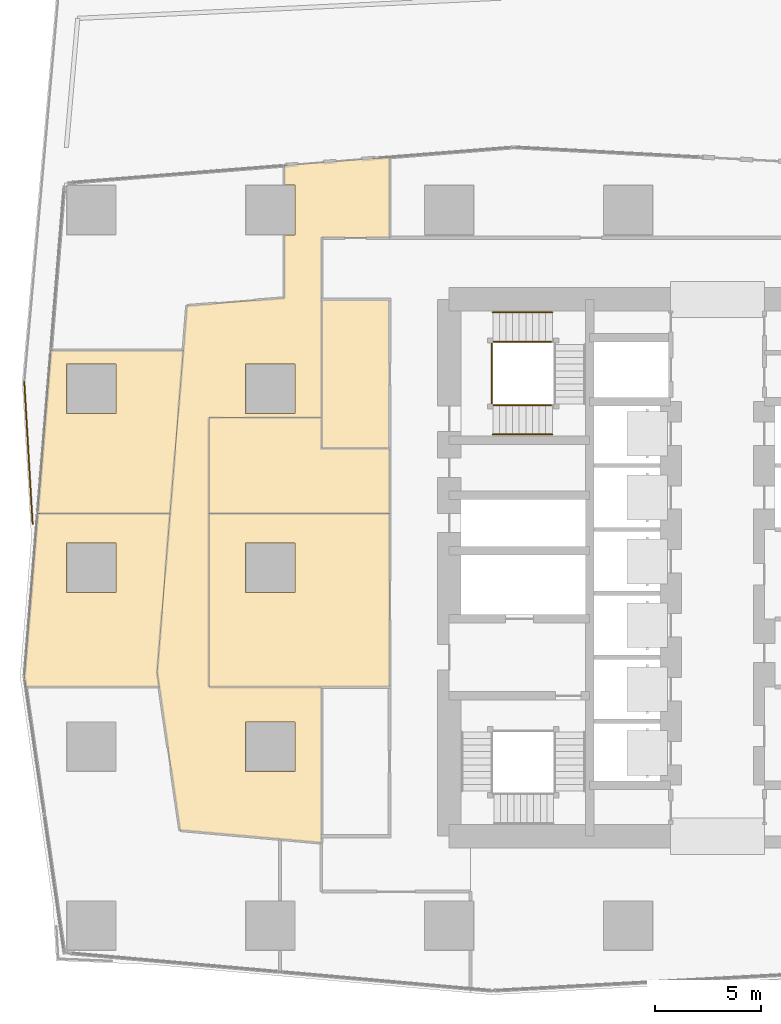
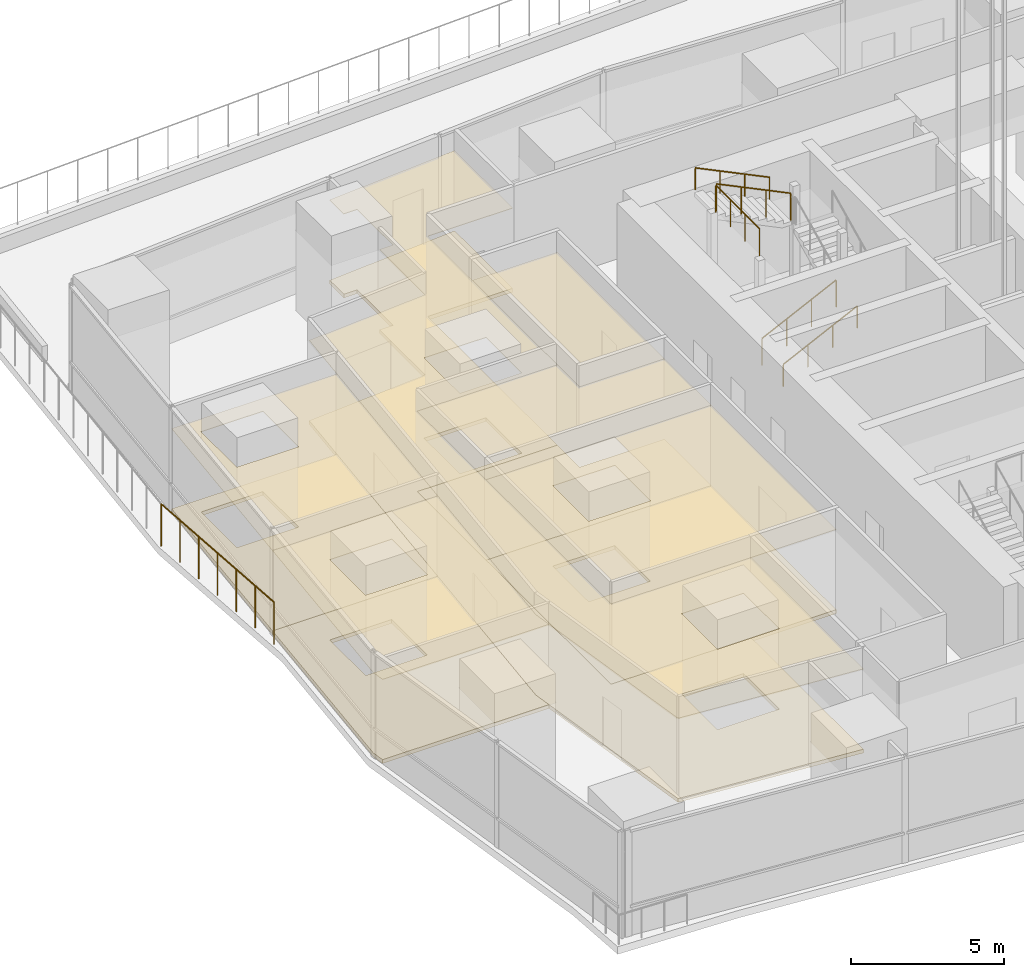
# One storey, part 21 of 39: 11 coverings, 6 railings.
"""IFC4 building model written with IfcOpenShell, lengths in metres."""

from ifc_helpers import new_model, si_unit, direction, frame, origin, origin_2d, place, context, subcontext, project, spatial, polyline, circle, outline, extrude, material, layer, layer_set, type_object, element, save


model = new_model("IFC4")

# Units and contexts
model_context = context("Model", 3, precision=1e-05, world=origin(), true_north=direction((0.0, 1.0)))
body_context = subcontext(model_context, "Body", "Model", "MODEL_VIEW")
ifc_project = project(units=[si_unit("LENGTHUNIT", "METRE"), si_unit("AREAUNIT", "SQUARE_METRE"), si_unit("VOLUMEUNIT", "CUBIC_METRE"), si_unit("PLANEANGLEUNIT", "RADIAN"), si_unit("MASSUNIT", "GRAM", prefix="KILO")], contexts=[model_context])

# Site, building, storey
site_placement = place(None, origin())
site = spatial("IfcSite", under=ifc_project, at=site_placement, CompositionType="ELEMENT")
building_placement = place(site_placement, origin())
building = spatial("IfcBuilding", under=site, at=building_placement, Name="Rekha Terrace Tower", CompositionType="ELEMENT")
storey_placement = place(building_placement, frame((0.0, 0.0, 245.60009765625)))
storey = spatial("IfcBuildingStorey", under=building, at=storey_placement, Name="L62", CompositionType="ELEMENT", Elevation=245.60009765625)

# Coverings
ifc_material_1 = material(Name="Mineral fibre tile in exposed grid", Category="finish")
ifc_layer_1 = layer(ifc_material_1, 0.02001953125)
ifc_layer_set_1 = layer_set([ifc_layer_1], Name="Mineral fibre tile in exposed grid")
covering_type_1 = type_object("IfcCoveringType", Name="CL1 600x1200 office grid ceiling", PredefinedType="CEILING", material=ifc_layer_set_1)
covering_1_placement = place(storey_placement, frame((0.0, 0.0, 3.329833984375)))
element("IfcCovering", 1, at=covering_1_placement, inside=storey, type_object=covering_type_1, Name="Ceiling L62-11", PredefinedType="CEILING", context=body_context, shape_type="SweptSolid", body=[
    extrude(outline(polyline([(12.717041015625, 43.803955078125), (6.49609375, 43.803955078125), (5.8740234375, 36.15087890625), (12.093994140625, 36.15087890625), (12.717041015625, 43.803955078125)]), holes=[polyline([(9.56494140625, 43.1650390625), (9.56494140625, 40.8349609375), (7.235107421875, 40.8349609375), (7.235107421875, 43.1650390625), (9.56494140625, 43.1650390625)])]), origin(), (0.0, 0.0, 1.0), 0.02001953125),
])
covering_2_placement = place(storey_placement, frame((0.0, 0.0, 3.329833984375)))
element("IfcCovering", 2, at=covering_2_placement, inside=storey, type_object=covering_type_1, Name="Ceiling L62-12", PredefinedType="CEILING", context=body_context, shape_type="SweptSolid", body=[
    extrude(outline(polyline([(5.2509765625, 28.49609375), (5.321044921875, 28.010009765625), (11.5859375, 28.010009765625), (11.487060546875, 28.69091796875), (12.093994140625, 36.14990234375), (5.8740234375, 36.14990234375), (5.2509765625, 28.49609375)]), holes=[polyline([(9.56494140625, 34.764892578125), (9.56494140625, 32.43505859375), (7.235107421875, 32.43505859375), (7.235107421875, 34.764892578125), (9.56494140625, 34.764892578125)])]), origin(), (0.0, 0.0, 1.0), 0.02001953125),
])
covering_3_placement = place(storey_placement, frame((0.0, 0.0, 3.329833984375)))
element("IfcCovering", 3, at=covering_3_placement, inside=storey, type_object=covering_type_1, Name="Ceiling L62-15", PredefinedType="CEILING", context=body_context, shape_type="SweptSolid", body=[
    extrude(outline(polyline([(22.39990234375, 36.14990234375), (13.9189453125, 36.14990234375), (13.9189453125, 28.0), (22.39990234375, 28.0), (22.39990234375, 36.14990234375)]), holes=[polyline([(17.965087890625, 34.764892578125), (17.965087890625, 32.43505859375), (15.635009765625, 32.43505859375), (15.635009765625, 34.764892578125), (17.965087890625, 34.764892578125)])]), origin(), (0.0, 0.0, 1.0), 0.02001953125),
])
covering_4_placement = place(storey_placement, frame((0.0, 0.0, 3.329833984375)))
element("IfcCovering", 4, at=covering_4_placement, inside=storey, type_object=covering_type_1, Name="Ceiling L62-16", PredefinedType="CEILING", context=body_context, shape_type="SweptSolid", body=[
    extrude(outline(polyline([(13.9189453125, 36.14990234375), (22.39990234375, 36.14990234375), (22.39990234375, 39.199951171875), (19.199951171875, 39.199951171875), (19.199951171875, 40.64990234375), (13.9189453125, 40.64990234375), (13.9189453125, 36.14990234375)])), origin(), (0.0, 0.0, 1.0), 0.02001953125),
])
covering_5_placement = place(storey_placement, frame((0.0, 0.0, 3.329833984375)))
element("IfcCovering", 5, at=covering_5_placement, inside=storey, type_object=covering_type_1, Name="Ceiling L62-O2b", PredefinedType="CEILING", context=body_context, shape_type="SweptSolid", body=[
    extrude(outline(polyline([(11.487060546875, 28.69091796875), (11.5859375, 28.010009765625), (12.55908203125, 21.27587890625), (17.260009765625, 20.85888671875), (19.199951171875, 20.68603515625), (19.199951171875, 28.0), (13.9189453125, 28.0), (13.9189453125, 40.64990234375), (19.199951171875, 40.64990234375), (19.199951171875, 49.10009765625), (22.39599609375, 49.10009765625), (22.39599609375, 52.881103515625), (17.458984375, 52.487060546875), (17.458984375, 51.56494140625), (17.965087890625, 51.56494140625), (17.965087890625, 49.235107421875), (17.458984375, 49.235107421875), (17.458984375, 46.26806640625), (12.887939453125, 45.903076171875), (12.717041015625, 43.803955078125), (12.093994140625, 36.14990234375), (11.487060546875, 28.69091796875)]), holes=[polyline([(17.965087890625, 26.364990234375), (17.965087890625, 24.034912109375), (15.635009765625, 24.034912109375), (15.635009765625, 26.364990234375), (17.965087890625, 26.364990234375)]), polyline([(17.965087890625, 40.8349609375), (15.635009765625, 40.8349609375), (15.635009765625, 43.1650390625), (17.965087890625, 43.1650390625), (17.965087890625, 40.8349609375)])]), origin(), (0.0, 0.0, 1.0), 0.02001953125),
])
ifc_material_2 = material(Name="Fibre cement board", Category="finish")
ifc_layer_2 = layer(ifc_material_2, 0.014892578125)
ifc_layer_set_2 = layer_set([ifc_layer_2], Name="Fibre cement board")
covering_type_2 = type_object("IfcCoveringType", Name="CL2 moisture-resistant board ceiling", PredefinedType="CEILING", material=ifc_layer_set_2)
covering_6_placement = place(storey_placement, frame((0.0, 0.0, 3.3349609375)))
element("IfcCovering", 6, at=covering_6_placement, inside=storey, type_object=covering_type_2, Name="Ceiling L62-WCF2", PredefinedType="CEILING", context=body_context, shape_type="SweptSolid", body=[
    extrude(outline(polyline([(22.39990234375, 46.199951171875), (19.199951171875, 46.199951171875), (19.199951171875, 39.199951171875), (22.39990234375, 39.199951171875), (22.39990234375, 46.199951171875)])), origin(), (0.0, 0.0, 1.0), 0.014892578125),
])

# Railings
ifc_material_3 = material(Name="Stainless steel balustrade", Category="steel")
railing_type_1 = type_object("IfcRailingType", Name="GR1 1100 stair guard", PredefinedType="GUARDRAIL", material=ifc_material_3)
railing_1_placement = place(storey_placement, frame((27.25, 41.239990234375, 0.14990234375)))
element("IfcRailing", 7, at=railing_1_placement, inside=storey, type_object=railing_type_1, Name="Guard ST4 L62 flight 1", PredefinedType="GUARDRAIL", context=body_context, shape_type="SweptSolid", body=[
    extrude(circle(Radius=0.02392578125, at=origin_2d()), frame((0.0, 0.0, 1.076171875), z_axis=(0.90014928908, 0.0, 0.43558151633), x_axis=(0.0, 1.0, 0.0)), (0.0, 0.0, 1.0), 3.099609375),
    extrude(circle(Radius=0.02099609375, at=origin_2d()), origin(), (0.0, 0.0, 1.0), 1.052001953125),
    extrude(circle(Radius=0.02099609375, at=origin_2d()), frame((0.929931640625, 0.0, 0.449951171875)), (0.0, 0.0, 1.0), 1.052001953125),
    extrude(circle(Radius=0.02099609375, at=origin_2d()), frame((1.860107421875, 0.0, 0.900146484375)), (0.0, 0.0, 1.0), 1.052001953125),
    extrude(circle(Radius=0.02099609375, at=origin_2d()), frame((2.7900390625, 0.0, 1.35009765625)), (0.0, 0.0, 1.0), 1.052001953125),
])
railing_2_placement = place(storey_placement, frame((30.0400390625, 44.2099609375, 3.14990234375)))
element("IfcRailing", 8, at=railing_2_placement, inside=storey, type_object=railing_type_1, Name="Guard ST4 L62 flight 3", PredefinedType="GUARDRAIL", context=body_context, shape_type="SweptSolid", body=[
    extrude(circle(Radius=0.02392578125, at=origin_2d()), frame((0.0, 0.0, 1.076171875), z_axis=(-0.90014928908, 0.0, 0.43558151633), x_axis=(0.0, -1.0, 0.0)), (0.0, 0.0, 1.0), 3.099609375),
    extrude(circle(Radius=0.02099609375, at=origin_2d()), origin(), (0.0, 0.0, 1.0), 1.052001953125),
    extrude(circle(Radius=0.02099609375, at=origin_2d()), frame((-0.929931640625, 0.0, 0.449951171875)), (0.0, 0.0, 1.0), 1.052001953125),
    extrude(circle(Radius=0.02099609375, at=origin_2d()), frame((-1.860107421875, 0.0, 0.900146484375)), (0.0, 0.0, 1.0), 1.052001953125),
    extrude(circle(Radius=0.02099609375, at=origin_2d()), frame((-2.7900390625, 0.0, 1.35009765625)), (0.0, 0.0, 1.0), 1.052001953125),
])
railing_3_placement = place(storey_placement, frame((27.18994140625, 41.300048828125, 4.5)))
element("IfcRailing", 9, at=railing_3_placement, inside=storey, type_object=railing_type_1, Name="Guard ST4 L62 landing 4", PredefinedType="GUARDRAIL", context=body_context, shape_type="SweptSolid", body=[
    extrude(circle(Radius=0.02392578125, at=origin_2d()), frame((0.0, 0.0, 1.076171875), z_axis=(0.0, 1.0, 0.0), x_axis=(-1.0, 0.0, 0.0)), (0.0, 0.0, 1.0), 2.849853515625),
    extrude(circle(Radius=0.02099609375, at=origin_2d()), origin(), (0.0, 0.0, 1.0), 1.052001953125),
    extrude(circle(Radius=0.02099609375, at=origin_2d()), frame((0.0, 0.949951171875, 0.0)), (0.0, 0.0, 1.0), 1.052001953125),
    extrude(circle(Radius=0.02099609375, at=origin_2d()), frame((0.0, 1.89990234375, 0.0)), (0.0, 0.0, 1.0), 1.052001953125),
    extrude(circle(Radius=0.02099609375, at=origin_2d()), frame((0.0, 2.849853515625, 0.0)), (0.0, 0.0, 1.0), 1.052001953125),
])
ifc_material_4 = material(Name="Stainless steel posts and laminated glass infill", Category="steel")
railing_type_2 = type_object("IfcRailingType", Name="GR4 terrace glass guard 1700", PredefinedType="GUARDRAIL", material=ifc_material_4)
railing_4_placement = place(storey_placement, frame((5.250244140625, 42.32861328125, 0.0)))
element("IfcRailing", 10, at=railing_4_placement, inside=storey, type_object=railing_type_2, Name="Terrace guard", PredefinedType="GUARDRAIL", context=body_context, shape_type="SweptSolid", body=[
    extrude(circle(Radius=0.02392578125, at=origin_2d()), frame((0.0, 0.0, 1.67578125), z_axis=(0.058779843048, -0.998270970254, 0.0), x_axis=(0.998270970254, 0.058779843048, 0.0)), (0.0, 0.0, 1.0), 6.682861328125),
    extrude(circle(Radius=0.02099609375, at=origin_2d()), origin(), (0.0, 0.0, 1.0), 1.65185546875),
    extrude(circle(Radius=0.02099609375, at=origin_2d()), frame((0.0654296875, -1.11181640625, 0.0)), (0.0, 0.0, 1.0), 1.65185546875),
    extrude(circle(Radius=0.02099609375, at=origin_2d()), frame((0.130859375, -2.223876953125, 0.0)), (0.0, 0.0, 1.0), 1.65185546875),
    extrude(circle(Radius=0.02099609375, at=origin_2d()), frame((0.1962890625, -3.335693359375, 0.0)), (0.0, 0.0, 1.0), 1.65185546875),
    extrude(circle(Radius=0.02099609375, at=origin_2d()), frame((0.261962890625, -4.447509765625, 0.0)), (0.0, 0.0, 1.0), 1.65185546875),
    extrude(circle(Radius=0.02099609375, at=origin_2d()), frame((0.327392578125, -5.5595703125, 0.0)), (0.0, 0.0, 1.0), 1.65185546875),
    extrude(circle(Radius=0.02099609375, at=origin_2d()), frame((0.392822265625, -6.67138671875, 0.0)), (0.0, 0.0, 1.0), 1.65185546875),
])
ifc_material_5 = material(Name="Stainless steel tube", Category="steel")
railing_type_3 = type_object("IfcRailingType", Name="HR1 900 stair handrail", PredefinedType="HANDRAIL", material=ifc_material_5)
railing_5_placement = place(storey_placement, frame((27.25, 39.860107421875, 0.14990234375)))
element("IfcRailing", 11, at=railing_5_placement, inside=storey, type_object=railing_type_3, Name="Handrail ST4 L62 flight 1", PredefinedType="HANDRAIL", context=body_context, shape_type="SweptSolid", body=[
    extrude(circle(Radius=0.02392578125, at=origin_2d()), frame((0.0, 0.0, 0.8759765625), z_axis=(0.90014928908, 0.0, 0.43558151633), x_axis=(0.0, 1.0, 0.0)), (0.0, 0.0, 1.0), 3.099609375),
    extrude(circle(Radius=0.02099609375, at=origin_2d()), origin(), (0.0, 0.0, 1.0), 0.851806640625),
    extrude(circle(Radius=0.02099609375, at=origin_2d()), frame((0.929931640625, 0.0, 0.449951171875)), (0.0, 0.0, 1.0), 0.851806640625),
    extrude(circle(Radius=0.02099609375, at=origin_2d()), frame((1.860107421875, 0.0, 0.900146484375)), (0.0, 0.0, 1.0), 0.851806640625),
    extrude(circle(Radius=0.02099609375, at=origin_2d()), frame((2.7900390625, 0.0, 1.35009765625)), (0.0, 0.0, 1.0), 0.851806640625),
])
railing_6_placement = place(storey_placement, frame((30.0400390625, 45.590087890625, 3.14990234375)))
element("IfcRailing", 12, at=railing_6_placement, inside=storey, type_object=railing_type_3, Name="Handrail ST4 L62 flight 3", PredefinedType="HANDRAIL", context=body_context, shape_type="SweptSolid", body=[
    extrude(circle(Radius=0.02392578125, at=origin_2d()), frame((0.0, 0.0, 0.8759765625), z_axis=(-0.90014928908, 0.0, 0.43558151633), x_axis=(0.0, -1.0, 0.0)), (0.0, 0.0, 1.0), 3.099609375),
    extrude(circle(Radius=0.02099609375, at=origin_2d()), origin(), (0.0, 0.0, 1.0), 0.851806640625),
    extrude(circle(Radius=0.02099609375, at=origin_2d()), frame((-0.929931640625, 0.0, 0.449951171875)), (0.0, 0.0, 1.0), 0.851806640625),
    extrude(circle(Radius=0.02099609375, at=origin_2d()), frame((-1.860107421875, 0.0, 0.900146484375)), (0.0, 0.0, 1.0), 0.851806640625),
    extrude(circle(Radius=0.02099609375, at=origin_2d()), frame((-2.7900390625, 0.0, 1.35009765625)), (0.0, 0.0, 1.0), 0.851806640625),
])

# Coverings
ifc_material_6 = material(Name="Calcium sulphate panels on steel pedestals", Category="steel")
ifc_layer_3 = layer(ifc_material_6, 0.14990234375)
ifc_layer_set_3 = layer_set([ifc_layer_3], Name="Calcium sulphate panels on steel pedestals")
covering_type_3 = type_object("IfcCoveringType", Name="RF1 150 raised access floor", PredefinedType="FLOORING", material=ifc_layer_set_3)
covering_7_placement = place(storey_placement, origin())
element("IfcCovering", 13, at=covering_7_placement, inside=storey, type_object=covering_type_3, Name="Raised floor L62-11", PredefinedType="FLOORING", context=body_context, shape_type="SweptSolid", body=[
    extrude(outline(polyline([(12.717041015625, 43.803955078125), (6.49609375, 43.803955078125), (5.8740234375, 36.15087890625), (12.093994140625, 36.15087890625), (12.717041015625, 43.803955078125)]), holes=[polyline([(9.56494140625, 43.1650390625), (9.56494140625, 40.8349609375), (7.235107421875, 40.8349609375), (7.235107421875, 43.1650390625), (9.56494140625, 43.1650390625)])]), origin(), (0.0, 0.0, 1.0), 0.14990234375),
])
covering_8_placement = place(storey_placement, origin())
element("IfcCovering", 14, at=covering_8_placement, inside=storey, type_object=covering_type_3, Name="Raised floor L62-12", PredefinedType="FLOORING", context=body_context, shape_type="SweptSolid", body=[
    extrude(outline(polyline([(5.2509765625, 28.49609375), (5.321044921875, 28.010009765625), (11.5859375, 28.010009765625), (11.487060546875, 28.69091796875), (12.093994140625, 36.14990234375), (5.8740234375, 36.14990234375), (5.2509765625, 28.49609375)]), holes=[polyline([(9.56494140625, 34.764892578125), (9.56494140625, 32.43505859375), (7.235107421875, 32.43505859375), (7.235107421875, 34.764892578125), (9.56494140625, 34.764892578125)])]), origin(), (0.0, 0.0, 1.0), 0.14990234375),
])
covering_9_placement = place(storey_placement, origin())
element("IfcCovering", 15, at=covering_9_placement, inside=storey, type_object=covering_type_3, Name="Raised floor L62-15", PredefinedType="FLOORING", context=body_context, shape_type="SweptSolid", body=[
    extrude(outline(polyline([(22.39990234375, 36.14990234375), (13.9189453125, 36.14990234375), (13.9189453125, 28.0), (22.39990234375, 28.0), (22.39990234375, 36.14990234375)]), holes=[polyline([(17.965087890625, 34.764892578125), (17.965087890625, 32.43505859375), (15.635009765625, 32.43505859375), (15.635009765625, 34.764892578125), (17.965087890625, 34.764892578125)])]), origin(), (0.0, 0.0, 1.0), 0.14990234375),
])
covering_10_placement = place(storey_placement, origin())
element("IfcCovering", 16, at=covering_10_placement, inside=storey, type_object=covering_type_3, Name="Raised floor L62-16", PredefinedType="FLOORING", context=body_context, shape_type="SweptSolid", body=[
    extrude(outline(polyline([(13.9189453125, 36.14990234375), (22.39990234375, 36.14990234375), (22.39990234375, 39.199951171875), (19.199951171875, 39.199951171875), (19.199951171875, 40.64990234375), (13.9189453125, 40.64990234375), (13.9189453125, 36.14990234375)])), origin(), (0.0, 0.0, 1.0), 0.14990234375),
])
covering_11_placement = place(storey_placement, origin())
element("IfcCovering", 17, at=covering_11_placement, inside=storey, type_object=covering_type_3, Name="Raised floor L62-O2b", PredefinedType="FLOORING", context=body_context, shape_type="SweptSolid", body=[
    extrude(outline(polyline([(11.487060546875, 28.69091796875), (11.5859375, 28.010009765625), (12.55908203125, 21.27587890625), (17.260009765625, 20.85888671875), (19.199951171875, 20.68603515625), (19.199951171875, 28.0), (13.9189453125, 28.0), (13.9189453125, 40.64990234375), (19.199951171875, 40.64990234375), (19.199951171875, 49.10009765625), (22.39599609375, 49.10009765625), (22.39599609375, 52.881103515625), (17.458984375, 52.487060546875), (17.458984375, 51.56494140625), (17.965087890625, 51.56494140625), (17.965087890625, 49.235107421875), (17.458984375, 49.235107421875), (17.458984375, 46.26806640625), (12.887939453125, 45.903076171875), (12.717041015625, 43.803955078125), (12.093994140625, 36.14990234375), (11.487060546875, 28.69091796875)]), holes=[polyline([(17.965087890625, 26.364990234375), (17.965087890625, 24.034912109375), (15.635009765625, 24.034912109375), (15.635009765625, 26.364990234375), (17.965087890625, 26.364990234375)]), polyline([(17.965087890625, 40.8349609375), (15.635009765625, 40.8349609375), (15.635009765625, 43.1650390625), (17.965087890625, 43.1650390625), (17.965087890625, 40.8349609375)])]), origin(), (0.0, 0.0, 1.0), 0.14990234375),
])

save(model, "model.ifc")
